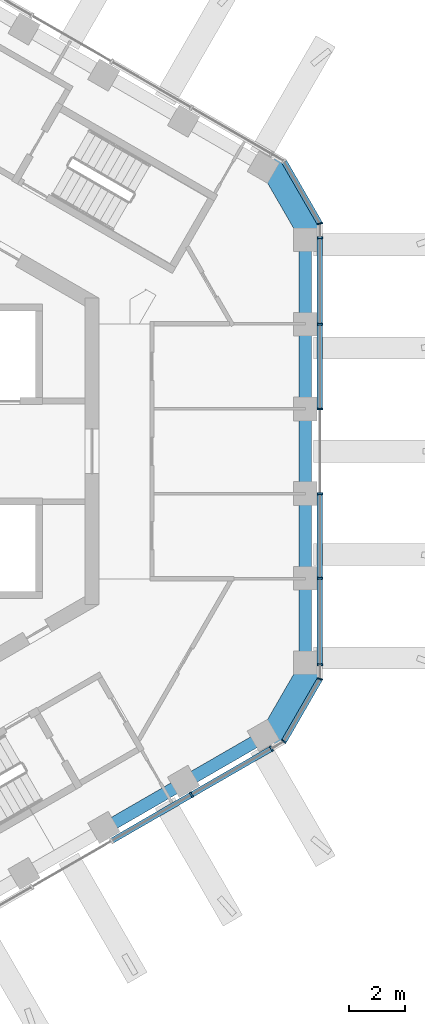
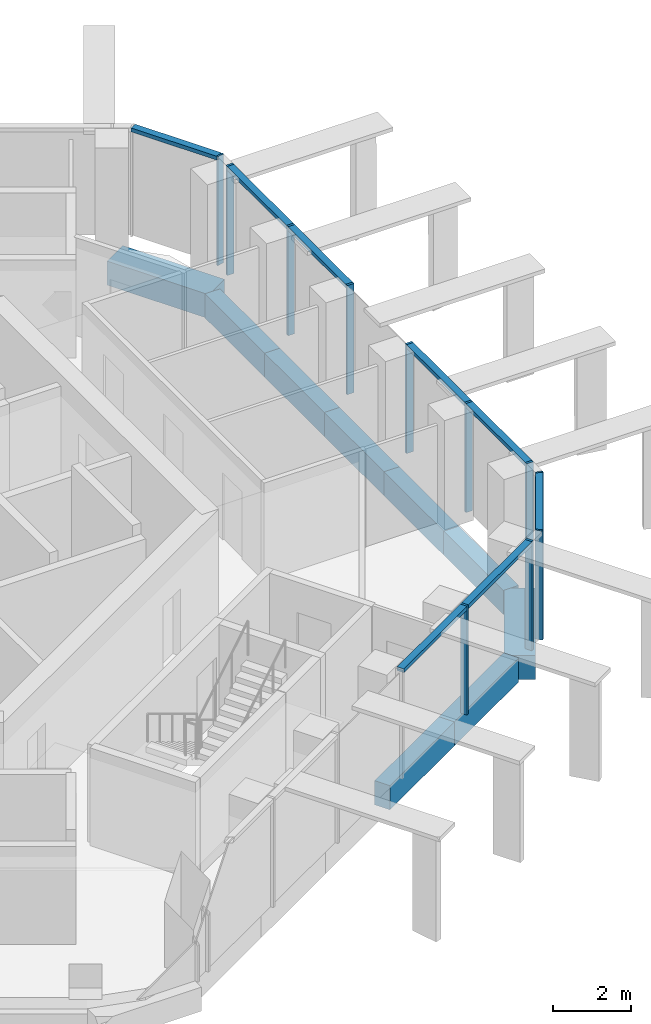
# One storey, part 4 of 18: 16 members, 9 beams, 4 elements without a shape of their own.
"""IFC4 building model written with IfcOpenShell, lengths in metres."""

from ifc_helpers import new_model, si_unit, direction, frame, origin, origin_2d, place, context, subcontext, project, spatial, rectangle, extrude, material, layer, layer_set, material_profile, profile_set, type_object, element, aggregate, save


model = new_model("IFC4")

# Units and contexts
model_context = context("Model", 3, precision=1e-05, world=origin(), true_north=direction((0.0, 1.0)))
body_context = subcontext(model_context, "Body", "Model", "MODEL_VIEW")
ifc_project = project(units=[si_unit("LENGTHUNIT", "METRE"), si_unit("AREAUNIT", "SQUARE_METRE"), si_unit("VOLUMEUNIT", "CUBIC_METRE"), si_unit("PLANEANGLEUNIT", "RADIAN"), si_unit("MASSUNIT", "GRAM", prefix="KILO")], contexts=[model_context])

# Site, building, storey
site_placement = place(None, origin())
site = spatial("IfcSite", under=ifc_project, at=site_placement, CompositionType="ELEMENT")
building_placement = place(site_placement, origin())
building = spatial("IfcBuilding", under=site, at=building_placement, Name="Ayvan Gate Tower", CompositionType="ELEMENT")
storey_placement = place(building_placement, frame((0.0, 0.0, 239.300048828125)))
storey = spatial("IfcBuildingStorey", under=building, at=storey_placement, Name="L64", CompositionType="ELEMENT", Elevation=239.300048828125)

# Beams
ifc_material_1 = material(Name="Concrete C40/50", Category="concrete")
ifc_material_profile_1 = material_profile(ifc_material_1, rectangle(XDim=0.800048828125, YDim=0.75, at=origin_2d()), Name="RC 800x750")
ifc_profile_set_1 = profile_set([ifc_material_profile_1], Name="Concrete C40/50")
beam_type_1 = type_object("IfcBeamType", Name="Corner spandrel beam RC 800x750 C40/50", PredefinedType="BEAM", material=ifc_profile_set_1)
for number, where, z_axis, x_axis, name in (
    (1, (17.078125, 7.7314453125, -0.72509765625), (-0.499990139034, 0.866031096941, 0.0), (-0.866031096941, -0.499990139034, 0.0), "SB-L64-6"),
    (2, (15.578125, -10.32958984375, -0.72509765625), (0.499990139034, 0.866031096941, 0.0), (-0.866031096941, 0.499990139034, 0.0), "SB-L64-36"),
):
    element("IfcBeam", number, at=place(storey_placement, frame(where, z_axis=z_axis, x_axis=x_axis)), inside=storey, type_object=beam_type_1, Name=name, PredefinedType="BEAM", context=body_context, shape_type="SweptSolid", body=[
        extrude(rectangle(XDim=0.800048828125, YDim=0.75, at=origin_2d()), origin(), (0.0, 0.0, 1.0), 3.0),
    ])
ifc_material_profile_2 = material_profile(ifc_material_1, rectangle(XDim=0.449951171875, YDim=0.75, at=origin_2d()), Name="RC 450x750")
ifc_profile_set_2 = profile_set([ifc_material_profile_2], Name="Concrete C40/50")
beam_type_2 = type_object("IfcBeamType", Name="Spandrel beam RC 450x750 C40/50", PredefinedType="BEAM", material=ifc_profile_set_2)
for number, where, z_axis, x_axis, name in (
    (3, (16.887451171875, -7.621337890625, -0.72509765625), (0.0, 1.0, 0.0), (-1.0, 0.0, 0.0), "SB-L64-1"),
    (4, (16.887451171875, -4.57275390625, -0.72509765625), (0.0, 1.0, 0.0), (-1.0, 0.0, 0.0), "SB-L64-2"),
):
    element("IfcBeam", number, at=place(storey_placement, frame(where, z_axis=z_axis, x_axis=x_axis)), inside=storey, type_object=beam_type_2, Name=name, PredefinedType="BEAM", context=body_context, shape_type="SweptSolid", body=[
        extrude(rectangle(XDim=0.449951171875, YDim=0.75, at=origin_2d()), origin(), (0.0, 0.0, 1.0), 3.048583984375),
    ])
beam_1_placement = place(storey_placement, frame((16.887451171875, -1.524169921875, -0.72509765625), z_axis=(0.0, 1.0, 0.0), x_axis=(-1.0, 0.0, 0.0)))
element("IfcBeam", 5, at=beam_1_placement, inside=storey, type_object=beam_type_2, Name="SB-L64-3", PredefinedType="BEAM", context=body_context, shape_type="SweptSolid", body=[
    extrude(rectangle(XDim=0.449951171875, YDim=0.75, at=origin_2d()), origin(), (0.0, 0.0, 1.0), 3.04833984375),
])
for number, where, z_axis, x_axis, name in (
    (6, (16.887451171875, 1.524169921875, -0.72509765625), (0.0, 1.0, 0.0), (-1.0, 0.0, 0.0), "SB-L64-4"),
    (7, (16.887451171875, 4.57275390625, -0.72509765625), (0.0, 1.0, 0.0), (-1.0, 0.0, 0.0), "SB-L64-5"),
):
    element("IfcBeam", number, at=place(storey_placement, frame(where, z_axis=z_axis, x_axis=x_axis)), inside=storey, type_object=beam_type_2, Name=name, PredefinedType="BEAM", context=body_context, shape_type="SweptSolid", body=[
        extrude(rectangle(XDim=0.449951171875, YDim=0.75, at=origin_2d()), origin(), (0.0, 0.0, 1.0), 3.048583984375),
    ])
beam_2_placement = place(storey_placement, frame((9.695068359375, -13.505859375, -0.72509765625), z_axis=(0.866049510442, 0.499958243719, 0.0), x_axis=(-0.499958243719, 0.866049510442, 0.0)))
element("IfcBeam", 8, at=beam_2_placement, inside=storey, type_object=beam_type_2, Name="SB-L64-34", PredefinedType="BEAM", context=body_context, shape_type="SweptSolid", body=[
    extrude(rectangle(XDim=0.449951171875, YDim=0.75, at=origin_2d()), origin(), (0.0, 0.0, 1.0), 3.286376953125),
])
beam_3_placement = place(storey_placement, frame((12.541259765625, -11.86279296875, -0.72509765625), z_axis=(0.866017343988, 0.500013959717, 0.0), x_axis=(-0.500013959717, 0.866017343988, 0.0)))
element("IfcBeam", 9, at=beam_3_placement, inside=storey, type_object=beam_type_2, Name="SB-L64-35", PredefinedType="BEAM", context=body_context, shape_type="SweptSolid", body=[
    extrude(rectangle(XDim=0.449951171875, YDim=0.75, at=origin_2d()), origin(), (0.0, 0.0, 1.0), 3.28662109375),
])

# Curtain wall, members
ifc_material_2 = material(Name="Bronze anodised aluminium", Category="aluminium")
ifc_layer_1 = layer(ifc_material_2, 0.199951171875)
ifc_layer_set_1 = layer_set([ifc_layer_1], Name="Bronze anodised aluminium")
curtain_wall_type_1 = type_object("IfcCurtainWallType", Name="Stick curtain wall CW-2", PredefinedType="NOTDEFINED", material=ifc_layer_set_1)
curtain_wall_1_placement = place(storey_placement, origin())
curtain_wall_1 = element("IfcCurtainWall", 10, at=curtain_wall_1_placement, inside=storey, type_object=curtain_wall_type_1, Name="Stick curtain wall CW-2 L64", PredefinedType="NOTDEFINED")
ifc_material_profile_3 = material_profile(ifc_material_2, rectangle(XDim=0.199951171875, YDim=0.070068359375, at=origin_2d()), Name="Stick curtain wall CW-2 mullion 200 x 70")
ifc_profile_set_3 = profile_set([ifc_material_profile_3], Name="Bronze anodised aluminium")
member_type_1 = type_object("IfcMemberType", Name="Stick curtain wall CW-2 mullion 200 x 70", PredefinedType="MULLION", material=ifc_profile_set_3)
member_1_placement = place(storey_placement, frame((12.81005859375, -12.299072265625, 0.0), z_axis=(0.0, 0.0, 1.0), x_axis=(0.5, -0.866025403784, 0.0)))
member_1 = element("IfcMember", 11, at=member_1_placement, type_object=member_type_1, Name="CW-2 mullion 5", PredefinedType="MULLION", context=body_context, shape_type="SweptSolid", body=[
    extrude(rectangle(XDim=0.199951171875, YDim=0.070068359375, at=origin_2d()), origin(), (0.0, 0.0, 1.0), 3.39990234375),
])
member_2_placement = place(storey_placement, frame((15.679443359375, -10.642578125, 0.0), z_axis=(0.0, 0.0, 1.0), x_axis=(0.5, -0.866025403784, 0.0)))
member_2 = element("IfcMember", 12, at=member_2_placement, type_object=member_type_1, Name="CW-2 mullion 6", PredefinedType="MULLION", context=body_context, shape_type="SweptSolid", body=[
    extrude(rectangle(XDim=0.199951171875, YDim=0.070068359375, at=origin_2d()), origin(), (0.0, 0.0, 1.0), 3.39990234375),
])

curtain_wall_2_placement = place(storey_placement, origin())
curtain_wall_2 = element("IfcCurtainWall", 13, at=curtain_wall_2_placement, inside=storey, type_object=curtain_wall_type_1, Name="Stick curtain wall CW-2 L64", PredefinedType="NOTDEFINED")
member_3_placement = place(storey_placement, frame((17.41259765625, -7.640869140625, 0.0), z_axis=(0.0, 0.0, 1.0), x_axis=(1.0, 0.0, 0.0)))
member_3 = element("IfcMember", 14, at=member_3_placement, type_object=member_type_1, Name="CW-2 mullion 1", PredefinedType="MULLION", context=body_context, shape_type="SweptSolid", body=[
    extrude(rectangle(XDim=0.199951171875, YDim=0.070068359375, at=origin_2d()), origin(), (0.0, 0.0, 1.0), 3.39990234375),
])
member_4_placement = place(storey_placement, frame((17.41259765625, -4.5439453125, 0.0), z_axis=(0.0, 0.0, 1.0), x_axis=(1.0, 0.0, 0.0)))
member_4 = element("IfcMember", 15, at=member_4_placement, type_object=member_type_1, Name="CW-2 mullion 2", PredefinedType="MULLION", context=body_context, shape_type="SweptSolid", body=[
    extrude(rectangle(XDim=0.199951171875, YDim=0.070068359375, at=origin_2d()), origin(), (0.0, 0.0, 1.0), 3.39990234375),
])
member_5_placement = place(storey_placement, frame((17.41259765625, -1.514892578125, 0.0), z_axis=(0.0, 0.0, 1.0), x_axis=(1.0, 0.0, 0.0)))
member_5 = element("IfcMember", 16, at=member_5_placement, type_object=member_type_1, Name="CW-2 mullion 3", PredefinedType="MULLION", context=body_context, shape_type="SweptSolid", body=[
    extrude(rectangle(XDim=0.199951171875, YDim=0.070068359375, at=origin_2d()), origin(), (0.0, 0.0, 1.0), 3.39990234375),
])
member_6_placement = place(storey_placement, frame((17.41259765625, 1.51416015625, 0.0), z_axis=(0.0, 0.0, 1.0), x_axis=(1.0, 0.0, 0.0)))
member_6 = element("IfcMember", 17, at=member_6_placement, type_object=member_type_1, Name="CW-2 mullion 4", PredefinedType="MULLION", context=body_context, shape_type="SweptSolid", body=[
    extrude(rectangle(XDim=0.199951171875, YDim=0.070068359375, at=origin_2d()), origin(), (0.0, 0.0, 1.0), 3.39990234375),
])
member_7_placement = place(storey_placement, frame((17.41259765625, 4.543212890625, 0.0), z_axis=(0.0, 0.0, 1.0), x_axis=(1.0, 0.0, 0.0)))
member_7 = element("IfcMember", 18, at=member_7_placement, type_object=member_type_1, Name="CW-2 mullion 5", PredefinedType="MULLION", context=body_context, shape_type="SweptSolid", body=[
    extrude(rectangle(XDim=0.199951171875, YDim=0.070068359375, at=origin_2d()), origin(), (0.0, 0.0, 1.0), 3.39990234375),
])
member_8_placement = place(storey_placement, frame((17.41259765625, 7.640869140625, 0.0), z_axis=(0.0, 0.0, 1.0), x_axis=(1.0, 0.0, 0.0)))
member_8 = element("IfcMember", 19, at=member_8_placement, type_object=member_type_1, Name="CW-2 mullion 6", PredefinedType="MULLION", context=body_context, shape_type="SweptSolid", body=[
    extrude(rectangle(XDim=0.199951171875, YDim=0.070068359375, at=origin_2d()), origin(), (0.0, 0.0, 1.0), 3.39990234375),
])

# Member
ifc_material_profile_4 = material_profile(ifc_material_2, rectangle(XDim=0.199951171875, YDim=0.1201171875, at=origin_2d()), Name="Stick curtain wall CW-2 transom 200 x 120")
ifc_profile_set_4 = profile_set([ifc_material_profile_4], Name="Bronze anodised aluminium")
member_type_2 = type_object("IfcMemberType", Name="Stick curtain wall CW-2 transom 200 x 120", PredefinedType="USERDEFINED", material=ifc_profile_set_4)
member_9_placement = place(storey_placement, frame((9.986083984375, -13.9296875, 3.33984375), z_axis=(0.866022320763, 0.500005339912, 0.0), x_axis=(-0.500005339912, 0.866022320763, 0.0)))
member_9 = element("IfcMember", 20, at=member_9_placement, type_object=member_type_2, Name="CW-2 transom 2", ObjectType="TRANSOM", PredefinedType="USERDEFINED", context=body_context, shape_type="SweptSolid", body=[
    extrude(rectangle(XDim=0.199951171875, YDim=0.1201171875, at=origin_2d()), origin(), (0.0, 0.0, 1.0), 6.57421875),
])

aggregate(curtain_wall_1, [member_1, member_2, member_9])

member_10_placement = place(storey_placement, frame((17.41259765625, -7.640869140625, 3.33984375), z_axis=(0.0, 1.0, 0.0), x_axis=(-1.0, 0.0, 0.0)))
member_10 = element("IfcMember", 21, at=member_10_placement, type_object=member_type_2, Name="CW-2 transom 1", ObjectType="TRANSOM", PredefinedType="USERDEFINED", context=body_context, shape_type="SweptSolid", body=[
    extrude(rectangle(XDim=0.199951171875, YDim=0.1201171875, at=origin_2d()), origin(), (0.0, 0.0, 1.0), 6.091064453125),
])

member_11_placement = place(storey_placement, frame((17.41259765625, 1.549072265625, 3.33984375), z_axis=(0.0, 1.0, 0.0), x_axis=(-1.0, 0.0, 0.0)))
member_11 = element("IfcMember", 22, at=member_11_placement, type_object=member_type_2, Name="CW-2 transom 2", ObjectType="TRANSOM", PredefinedType="USERDEFINED", context=body_context, shape_type="SweptSolid", body=[
    extrude(rectangle(XDim=0.199951171875, YDim=0.1201171875, at=origin_2d()), origin(), (0.0, 0.0, 1.0), 6.091796875),
])

aggregate(curtain_wall_2, [member_3, member_4, member_5, member_6, member_7, member_8, member_10, member_11])

# Curtain wall, members
ifc_layer_2 = layer(ifc_material_2, 0.199951171875)
ifc_layer_set_2 = layer_set([ifc_layer_2], Name="Bronze anodised aluminium")
curtain_wall_type_2 = type_object("IfcCurtainWallType", Name="Stick curtain wall CW-6", PredefinedType="NOTDEFINED", material=ifc_layer_set_2)
curtain_wall_3_placement = place(storey_placement, origin())
curtain_wall_3 = element("IfcCurtainWall", 23, at=curtain_wall_3_placement, inside=storey, type_object=curtain_wall_type_2, Name="Stick curtain wall CW-6 L64", PredefinedType="NOTDEFINED")
ifc_material_profile_5 = material_profile(ifc_material_2, rectangle(XDim=0.199951171875, YDim=0.050048828125, at=origin_2d()), Name="Stick curtain wall CW-6 mullion 200 x 50")
ifc_profile_set_5 = profile_set([ifc_material_profile_5], Name="Bronze anodised aluminium")
member_type_3 = type_object("IfcMemberType", Name="Stick curtain wall CW-6 mullion 200 x 50", PredefinedType="MULLION", material=ifc_profile_set_5)
member_12_placement = place(storey_placement, frame((16.12109375, -10.387451171875, 0.0), z_axis=(0.0, 0.0, 1.0), x_axis=(0.707106781187, -0.707106781187, 0.0)))
member_12 = element("IfcMember", 24, at=member_12_placement, type_object=member_type_3, Name="CW-6 mullion 2", PredefinedType="MULLION", context=body_context, shape_type="SweptSolid", body=[
    extrude(rectangle(XDim=0.199951171875, YDim=0.050048828125, at=origin_2d()), origin(), (0.0, 0.0, 1.0), 3.39990234375),
])
member_13_placement = place(storey_placement, frame((17.41259765625, -8.15087890625, 0.0), z_axis=(0.0, 0.0, 1.0), x_axis=(0.965925826289, -0.258819045103, 0.0)))
member_13 = element("IfcMember", 25, at=member_13_placement, type_object=member_type_3, Name="CW-6 mullion 3", PredefinedType="MULLION", context=body_context, shape_type="SweptSolid", body=[
    extrude(rectangle(XDim=0.199951171875, YDim=0.050048828125, at=origin_2d()), origin(), (0.0, 0.0, 1.0), 3.39990234375),
])

# Curtain wall, member
curtain_wall_4_placement = place(storey_placement, origin())
curtain_wall_4 = element("IfcCurtainWall", 26, at=curtain_wall_4_placement, inside=storey, type_object=curtain_wall_type_2, Name="Stick curtain wall CW-6 L64", PredefinedType="NOTDEFINED")
member_14_placement = place(storey_placement, frame((17.41259765625, 8.15087890625, 0.0), z_axis=(0.0, 0.0, 1.0), x_axis=(0.965925826289, 0.258819045103, 0.0)))
member_14 = element("IfcMember", 27, at=member_14_placement, type_object=member_type_3, Name="CW-6 mullion 2", PredefinedType="MULLION", context=body_context, shape_type="SweptSolid", body=[
    extrude(rectangle(XDim=0.199951171875, YDim=0.050048828125, at=origin_2d()), origin(), (0.0, 0.0, 1.0), 3.39990234375),
])

# Member
ifc_material_profile_6 = material_profile(ifc_material_2, rectangle(XDim=0.199951171875, YDim=0.1201171875, at=origin_2d()), Name="Stick curtain wall CW-6 transom 200 x 120")
ifc_profile_set_6 = profile_set([ifc_material_profile_6], Name="Bronze anodised aluminium")
member_type_4 = type_object("IfcMemberType", Name="Stick curtain wall CW-6 transom 200 x 120", PredefinedType="USERDEFINED", material=ifc_profile_set_6)
member_15_placement = place(storey_placement, frame((16.1337890625, -10.36572265625, 3.33984375), z_axis=(0.49997559865, 0.866039491452, 0.0), x_axis=(-0.866039491452, 0.49997559865, 0.0)))
member_15 = element("IfcMember", 28, at=member_15_placement, type_object=member_type_4, Name="CW-6 transom 2", ObjectType="TRANSOM", PredefinedType="USERDEFINED", context=body_context, shape_type="SweptSolid", body=[
    extrude(rectangle(XDim=0.199951171875, YDim=0.1201171875, at=origin_2d()), origin(), (0.0, 0.0, 1.0), 2.532470703125),
])

aggregate(curtain_wall_3, [member_12, member_13, member_15])

member_16_placement = place(storey_placement, frame((17.39990234375, 8.172607421875, 3.33984375), z_axis=(-0.49997559865, 0.866039491452, 0.0), x_axis=(-0.866039491452, -0.49997559865, 0.0)))
member_16 = element("IfcMember", 29, at=member_16_placement, type_object=member_type_4, Name="CW-6 transom 2", ObjectType="TRANSOM", PredefinedType="USERDEFINED", context=body_context, shape_type="SweptSolid", body=[
    extrude(rectangle(XDim=0.199951171875, YDim=0.1201171875, at=origin_2d()), origin(), (0.0, 0.0, 1.0), 2.532470703125),
])

aggregate(curtain_wall_4, [member_14, member_16])

save(model, "model.ifc")
